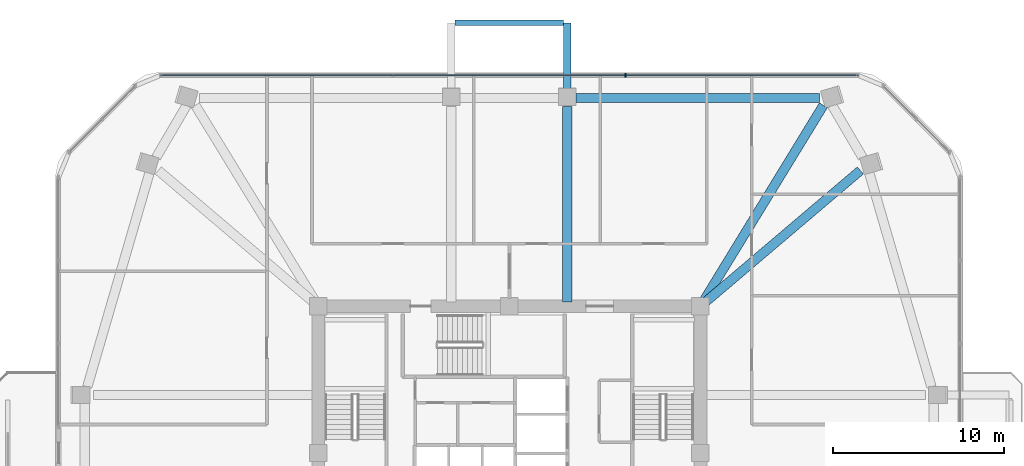
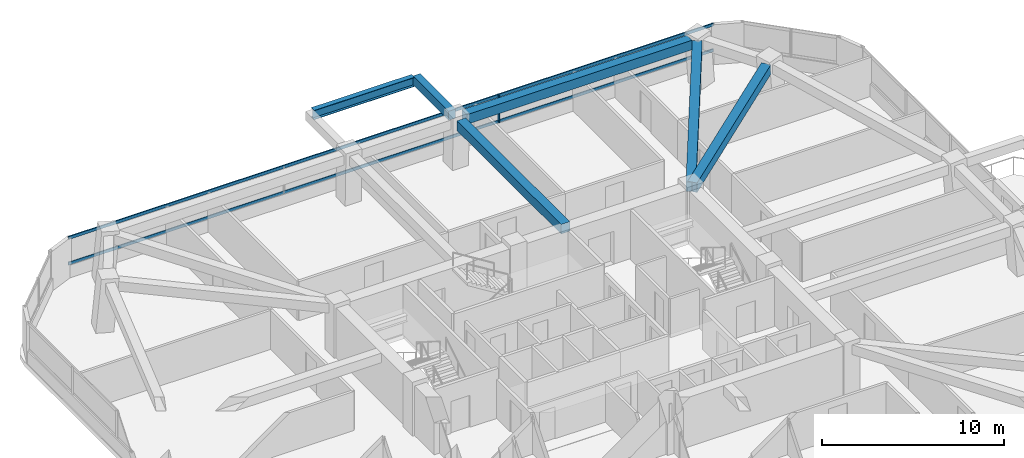
# One storey, part 7 of 15: 6 beams, 3 members, 1 element without a shape of its own.
"""IFC4 building model written with IfcOpenShell, lengths in metres."""

from ifc_helpers import new_model, si_unit, derived_unit, direction, frame, origin, origin_2d, place, context, subcontext, project, spatial, rectangle, i_section, extrude, material, material_profile, profile_set, type_object, element, aggregate, save


model = new_model("IFC4")

# Units and contexts
model_context = context("Model", 3, precision=1e-05, world=origin(), true_north=direction((0.0, 1.0)))
body_context = subcontext(model_context, "Body", "Model", "MODEL_VIEW")
ifc_project = project(units=[si_unit("LENGTHUNIT", "METRE"), si_unit("AREAUNIT", "SQUARE_METRE"), si_unit("VOLUMEUNIT", "CUBIC_METRE"), si_unit("PLANEANGLEUNIT", "RADIAN"), si_unit("MASSUNIT", "GRAM", prefix="KILO"), derived_unit("THERMALTRANSMITTANCEUNIT", [(si_unit("POWERUNIT", "WATT"), 1), (si_unit("LENGTHUNIT", "METRE"), -2), (si_unit("THERMODYNAMICTEMPERATUREUNIT", "KELVIN"), -1)])], contexts=[model_context])

# Site, building, storey
site_placement = place(None, origin())
site = spatial("IfcSite", under=ifc_project, at=site_placement, CompositionType="ELEMENT")
building_placement = place(site_placement, origin())
building = spatial("IfcBuilding", under=site, at=building_placement, Name="Koralith Skygarden Medical Center", CompositionType="ELEMENT")
storey_placement = place(building_placement, frame((0.0, 0.0, 91.97998046875)))
storey = spatial("IfcBuildingStorey", under=building, at=storey_placement, Name="L23", CompositionType="ELEMENT", Elevation=91.97998046875)

# Curtain wall, members
ifc_material_1 = material(Name="Clear Laminated Glass", Category="glass")
curtain_wall_type = type_object("IfcCurtainWallType", Name="CW-3 Zone 2 Faceted Solar Curtain Wall", PredefinedType="NOTDEFINED", material=ifc_material_1)
curtain_wall_placement = place(storey_placement, origin())
curtain_wall = element("IfcCurtainWall", 1, at=curtain_wall_placement, inside=storey, type_object=curtain_wall_type, Name="Curtain Wall CW-L23-N", PredefinedType="NOTDEFINED")
ifc_material_2 = material(Name="Aluminium 6063-T6", Category="aluminium")
ifc_material_profile_1 = material_profile(ifc_material_2, rectangle(XDim=0.073974609375, YDim=0.219970703125, at=origin_2d()), Name="MUL74X220")
ifc_profile_set_1 = profile_set([ifc_material_profile_1], Name="Aluminium 6063-T6")
member_type_1 = type_object("IfcMemberType", Name="CW-3 Extruded Mullion 74x220", PredefinedType="MULLION", material=ifc_profile_set_1)
member_1_placement = place(storey_placement, frame((43.81396484375, 48.031005859375, 0.85009765625), z_axis=(0.0, 0.0, 1.0), x_axis=(1.0, 0.0, 0.0)))
member_1 = element("IfcMember", 2, at=member_1_placement, type_object=member_type_1, Name="CW-L23-N Mullion 2", PredefinedType="MULLION", context=body_context, shape_type="SweptSolid", body=[
    extrude(rectangle(XDim=0.073974609375, YDim=0.219970703125, at=origin_2d()), origin(), (0.0, 0.0, 1.0), 1.81982421875),
])
ifc_material_profile_2 = material_profile(ifc_material_2, rectangle(XDim=0.069091796875, YDim=0.197998046875, at=origin_2d()), Name="TRN69X198")
ifc_profile_set_2 = profile_set([ifc_material_profile_2], Name="Aluminium 6063-T6")
member_type_2 = type_object("IfcMemberType", Name="CW-3 Thermal Transom 69x198", PredefinedType="USERDEFINED", material=ifc_profile_set_2)
member_2_placement = place(storey_placement, frame((57.44189453125, 48.031005859375, 0.89990234375), z_axis=(-1.0, 0.0, 0.0), x_axis=(0.0, -1.0, 0.0)))
member_2 = element("IfcMember", 3, at=member_2_placement, type_object=member_type_2, Name="CW-L23-N Transom 1", ObjectType="TRANSOM", PredefinedType="USERDEFINED", context=body_context, shape_type="SweptSolid", body=[
    extrude(rectangle(XDim=0.069091796875, YDim=0.197998046875, at=origin_2d()), origin(), (0.0, 0.0, 1.0), 40.8837890625),
])
member_3_placement = place(storey_placement, frame((57.44189453125, 48.031005859375, 2.6201171875), z_axis=(-1.0, 0.0, 0.0), x_axis=(0.0, -1.0, 0.0)))
member_3 = element("IfcMember", 4, at=member_3_placement, type_object=member_type_2, Name="CW-L23-N Transom 2", ObjectType="TRANSOM", PredefinedType="USERDEFINED", context=body_context, shape_type="SweptSolid", body=[
    extrude(rectangle(XDim=0.069091796875, YDim=0.197998046875, at=origin_2d()), origin(), (0.0, 0.0, 1.0), 40.8837890625),
])
aggregate(curtain_wall, [member_1, member_2, member_3])

# Beams
ifc_material_3 = material(Name="Steel ASTM A992 Grade 50", Category="steel")
ifc_material_profile_3 = material_profile(ifc_material_3, i_section(OverallWidth=0.326904296875, OverallDepth=0.6220703125, WebThickness=0.015380859375, FlangeThickness=0.0244140625, at=origin_2d()), Name="W24X131")
ifc_profile_set_3 = profile_set([ifc_material_profile_3], Name="Steel ASTM A992 Grade 50")
beam_type_1 = type_object("IfcBeamType", Name="Cantilever Tie Beam W24X131", PredefinedType="BEAM", material=ifc_profile_set_3)
beam_1_placement = place(storey_placement, frame((33.820068359375, 51.113037109375, 3.029052734375), z_axis=(1.0, 0.0, 0.0), x_axis=(0.0, 1.0, 0.0)))
element("IfcBeam", 5, at=beam_1_placement, inside=storey, type_object=beam_type_1, Name="L24 N Balcony Tip Tie Beam", PredefinedType="BEAM", context=body_context, shape_type="SweptSolid", body=[
    extrude(i_section(OverallWidth=0.326904296875, OverallDepth=0.6220703125, WebThickness=0.015380859375, FlangeThickness=0.0244140625, at=origin_2d()), origin(), (0.0, 0.0, 1.0), 6.35986328125),
])
ifc_material_4 = material(Name="Concrete C45/55", Category="concrete")
ifc_material_profile_4 = material_profile(ifc_material_4, rectangle(XDim=0.449951171875, YDim=0.60009765625, at=origin_2d()), Name="RCB450X600")
ifc_profile_set_4 = profile_set([ifc_material_profile_4], Name="Concrete C45/55")
beam_type_2 = type_object("IfcBeamType", Name="Planted Balcony Cantilever Beam RCB450X600", PredefinedType="BEAM", material=ifc_profile_set_4)
beam_2_placement = place(storey_placement, frame((40.39990234375, 47.193115234375, 3.0400390625), z_axis=(0.0, 1.0, 0.0), x_axis=(-1.0, 0.0, 0.0)))
element("IfcBeam", 6, at=beam_2_placement, inside=storey, type_object=beam_type_2, Name="L24 N Balcony Cantilever Beam B", PredefinedType="BEAM", context=body_context, shape_type="SweptSolid", body=[
    extrude(rectangle(XDim=0.449951171875, YDim=0.60009765625, at=origin_2d()), origin(), (0.0, 0.0, 1.0), 3.919921875),
])
ifc_material_profile_5 = material_profile(ifc_material_4, rectangle(XDim=0.550048828125, YDim=0.639892578125, at=origin_2d()), Name="RCB550X640")
ifc_profile_set_5 = profile_set([ifc_material_profile_5], Name="Concrete C45/55")
beam_type_3 = type_object("IfcBeamType", Name="Radial Collector Beam RCB550X640", PredefinedType="BEAM", material=ifc_profile_set_5)
beam_3_placement = place(storey_placement, frame((48.39111328125, 34.662109375, 3.0), z_axis=(0.762289739891, 0.647235932607, 0.0), x_axis=(-0.647235932607, 0.762289739891, 0.0)))
element("IfcBeam", 7, at=beam_3_placement, inside=storey, type_object=beam_type_3, Name="L23 Radial Collector Beam RB-10", PredefinedType="BEAM", context=body_context, shape_type="SweptSolid", body=[
    extrude(rectangle(XDim=0.550048828125, YDim=0.639892578125, at=origin_2d()), origin(), (0.0, 0.0, 1.0), 12.04638671875),
])
beam_4_placement = place(storey_placement, frame((48.330078125, 34.712890625, 3.0), z_axis=(0.521811326111, 0.853060923933, 0.0), x_axis=(-0.853060923933, 0.521811326111, 0.0)))
element("IfcBeam", 8, at=beam_4_placement, inside=storey, type_object=beam_type_3, Name="L23 Radial Collector Beam RB-11", PredefinedType="BEAM", context=body_context, shape_type="SweptSolid", body=[
    extrude(rectangle(XDim=0.550048828125, YDim=0.639892578125, at=origin_2d()), origin(), (0.0, 0.0, 1.0), 13.5546875),
])
beam_5_placement = place(storey_placement, frame((40.39990234375, 34.75, 3.0), z_axis=(0.0, 1.0, 0.0), x_axis=(-1.0, 0.0, 0.0)))
element("IfcBeam", 9, at=beam_5_placement, inside=storey, type_object=beam_type_3, Name="L23 Radial Collector Beam RB-12", PredefinedType="BEAM", context=body_context, shape_type="SweptSolid", body=[
    extrude(rectangle(XDim=0.550048828125, YDim=0.639892578125, at=origin_2d()), origin(), (0.0, 0.0, 1.0), 11.452880859375),
])
ifc_material_profile_6 = material_profile(ifc_material_4, rectangle(XDim=0.550048828125, YDim=0.639892578125, at=origin_2d()), Name="RCB550X640")
ifc_profile_set_6 = profile_set([ifc_material_profile_6], Name="Concrete C45/55")
beam_type_4 = type_object("IfcBeamType", Name="Zone 2-3 Spandrel Beam RCB550X640", PredefinedType="SPANDREL", material=ifc_profile_set_6)
beam_6_placement = place(storey_placement, frame((55.1640625, 46.702880859375, 3.0), z_axis=(-1.0, 0.0, 0.0), x_axis=(0.0, -1.0, 0.0)))
element("IfcBeam", 10, at=beam_6_placement, inside=storey, type_object=beam_type_4, Name="L23 Perimeter Spandrel Beam SP-11", PredefinedType="SPANDREL", context=body_context, shape_type="SweptSolid", body=[
    extrude(rectangle(XDim=0.550048828125, YDim=0.639892578125, at=origin_2d()), origin(), (0.0, 0.0, 1.0), 14.26416015625),
])

save(model, "model.ifc")
